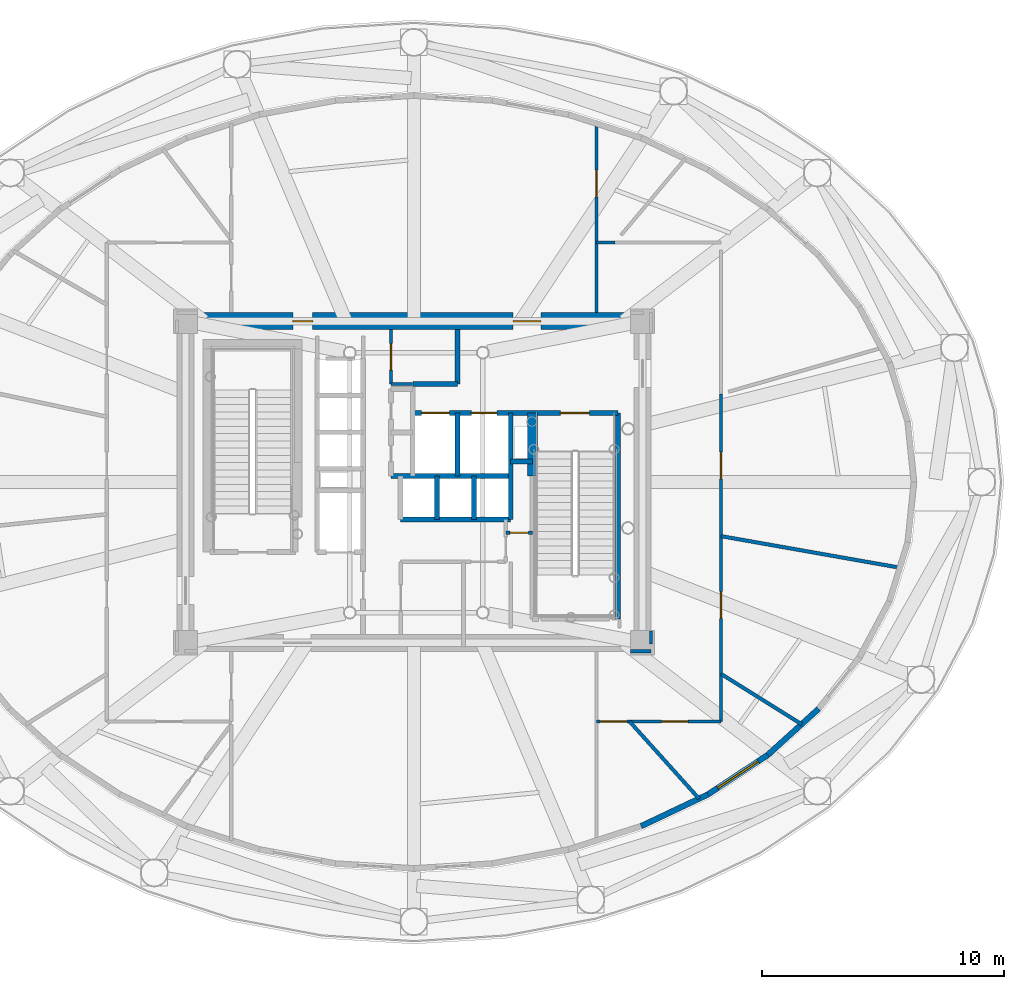
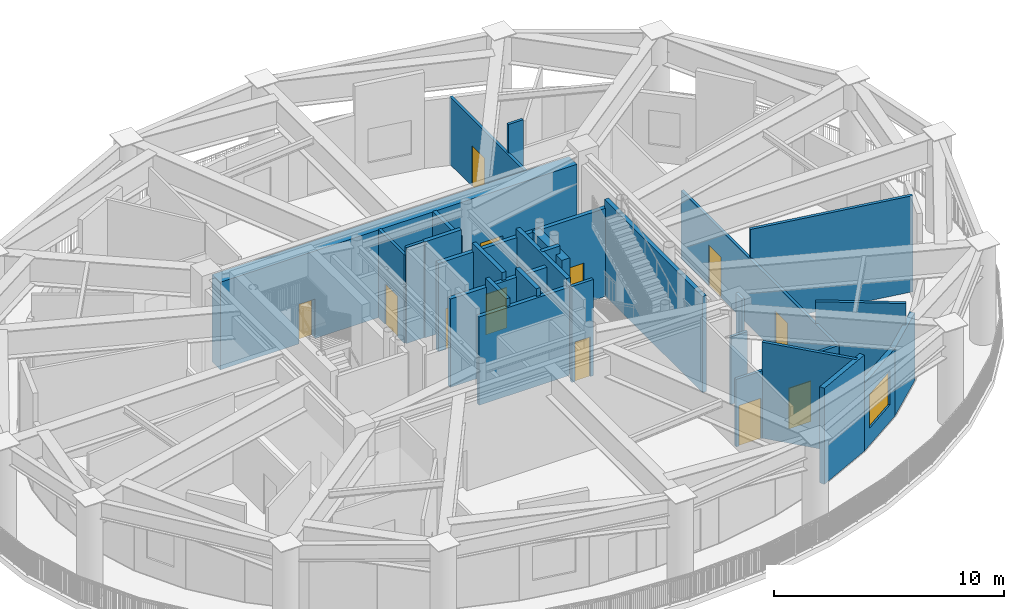
# One storey, part 6 of 14: 28 walls, 12 doors, 1 window, 13 openings.
"""IFC4 building model written with IfcOpenShell, lengths in metres."""

from ifc_helpers import new_model, si_unit, direction, frame, frame_2d, origin, origin_2d, place, context, subcontext, project, spatial, rectangle, extrude, source, transform, mapped, material, layer, layer_set, type_object, element, fill, save


model = new_model("IFC4")

# Units and contexts
model_context = context("Model", 3, precision=1e-05, world=origin(), true_north=direction((0.0, 1.0)))
body_context = subcontext(model_context, "Body", "Model", "MODEL_VIEW")
ifc_project = project(units=[si_unit("LENGTHUNIT", "METRE"), si_unit("AREAUNIT", "SQUARE_METRE"), si_unit("VOLUMEUNIT", "CUBIC_METRE"), si_unit("PLANEANGLEUNIT", "RADIAN"), si_unit("MASSUNIT", "GRAM", prefix="KILO")], contexts=[model_context])

# Site, building, storey
site_placement = place(None, origin())
site = spatial("IfcSite", under=ifc_project, at=site_placement, CompositionType="ELEMENT")
building_placement = place(site_placement, origin())
building = spatial("IfcBuilding", under=site, at=building_placement, Name="Linh Dai School and Residence Tower", CompositionType="ELEMENT")
storey_placement = place(building_placement, frame((0.0, 0.0, 262.800048828125)))
storey = spatial("IfcBuildingStorey", under=building, at=storey_placement, Name="L65", CompositionType="ELEMENT", Elevation=262.800048828125)

# Wall
ifc_material_1 = material(Name="Precast Concrete B45 (C35/45)", Category="concrete")
ifc_layer_1 = layer(ifc_material_1, 0.239990234375)
ifc_layer_set_1 = layer_set([ifc_layer_1], Name="Precast Concrete B45 (C35/45)")
wall_type_1 = type_object("IfcWallType", Name="EW-TC-240", PredefinedType="SOLIDWALL", material=ifc_layer_set_1)
wall_1_placement = place(storey_placement, frame((48.16455078125, 14.079833984375, 0.0), z_axis=(0.0, 0.0, 1.0), x_axis=(-0.903435751873, -0.428723503249, 0.0)))
element("IfcWall", 1, at=wall_1_placement, inside=storey, type_object=wall_type_1, Name="L65 Terracotta Exterior Wall 34", PredefinedType="SOLIDWALL", context=body_context, shape_type="SweptSolid", body=[
    extrude(rectangle(XDim=3.063232421875, YDim=0.239990234375, at=frame_2d((1.53173828125, 0.0))), origin(), (0.0, 0.0, 1.0), 5.099853515625),
])

# Wall, opening, window
wall_2_placement = place(storey_placement, frame((50.63134765625, 15.7109375, 0.0), z_axis=(0.0, 0.0, 1.0), x_axis=(-0.834139994044, -0.551552781097, 0.0)))
wall_2 = element("IfcWall", 2, at=wall_2_placement, inside=storey, type_object=wall_type_1, Name="L65 Terracotta Exterior Wall 35", PredefinedType="SOLIDWALL", context=body_context, shape_type="SweptSolid", body=[
    extrude(rectangle(XDim=2.957275390625, YDim=0.239990234375, at=frame_2d((1.478515625, 0.0))), origin(), (0.0, 0.0, 1.0), 3.5849609375),
])
opening_1_placement = place(wall_2_placement, frame((0.478515625, 0.0, 0.89990234375)))
opening_1 = element("IfcOpeningElement", 3, at=opening_1_placement, cuts=wall_2, Name="Opening W5", PredefinedType="OPENING", context=body_context, shape_type="SweptSolid", body=[
    extrude(rectangle(XDim=2.0, YDim=1.800048828125, at=origin_2d()), frame((1.0, 0.1298828125, 0.89990234375), z_axis=(0.0, -1.0, 0.0), x_axis=(1.0, 0.0, 0.0)), (0.0, 0.0, 1.0), 0.260009765625),
])
ifc_material_2 = material(Name="Anodised Aluminium Weather Louvre", Category="aluminium")
window_type = type_object("IfcWindowType", Name="WN-LV-2000x1800", PartitioningType="SINGLE_PANEL", PredefinedType="USERDEFINED", material=ifc_material_2)
shared_shape_1 = source(origin(), body_context, "Body", "SweptSolid", [
    extrude(rectangle(XDim=2.0, YDim=1.800048828125, at=origin_2d()), frame((1.0, 0.030029296875, 0.89990234375), z_axis=(0.0, -1.0, 0.0), x_axis=(1.0, 0.0, 0.0)), (0.0, 0.0, 1.0), 0.06005859375),
])
window_placement = place(opening_1_placement, origin())
window = element("IfcWindow", 4, at=window_placement, inside=storey, type_object=window_type, Name="L65 Plant Weather Louvre 35", ObjectType="LOUVRE VENT", OverallHeight=1.800048828125, OverallWidth=2.0, PartitioningType="SINGLE_PANEL", PredefinedType="USERDEFINED", context=body_context, shape_type="MappedRepresentation", body=[
    mapped(shared_shape_1, transform((0.0, 0.0, 0.0), x_axis=(1.0, 0.0, 0.0), y_axis=(0.0, 1.0, 0.0), z_axis=(0.0, 0.0, 1.0), scale=1.0)),
])
fill(opening_1, window)

# Wall
wall_3_placement = place(storey_placement, frame((52.736328125, 17.619140625, 0.0), z_axis=(0.0, 0.0, 1.0), x_axis=(-0.740888066362, -0.67162852316, 0.0)))
element("IfcWall", 5, at=wall_3_placement, inside=storey, type_object=wall_type_1, Name="L65 Terracotta Exterior Wall 36", PredefinedType="SOLIDWALL", context=body_context, shape_type="SweptSolid", body=[
    extrude(rectangle(XDim=2.841064453125, YDim=0.239990234375, at=frame_2d((1.42041015625, 0.0))), origin(), (0.0, 0.0, 1.0), 3.5849609375),
])

# Wall, opening, door
ifc_material_3 = material(Name="Autoclaved Aerated Concrete Blockwork", Category="masonry")
ifc_layer_2 = layer(ifc_material_3, 0.135009765625)
ifc_layer_set_2 = layer_set([ifc_layer_2], Name="Autoclaved Aerated Concrete Blockwork")
wall_type_2 = type_object("IfcWallType", Name="IW-CORR-135-EI90", PredefinedType="PARTITIONING", material=ifc_layer_set_2)
wall_4_placement = place(storey_placement, frame((35.050048828125, 31.050048828125, 0.0), z_axis=(0.0, 0.0, 1.0), x_axis=(0.0, 1.0, 0.0)))
wall_4 = element("IfcWall", 6, at=wall_4_placement, inside=storey, type_object=wall_type_2, Name="L65 Interior Partition Wall 027", PredefinedType="PARTITIONING", context=body_context, shape_type="SweptSolid", body=[
    extrude(rectangle(XDim=2.25, YDim=0.135009765625, at=frame_2d((1.125, 0.0))), origin(), (0.0, 0.0, 1.0), 4.68505859375),
])
opening_2_placement = place(wall_4_placement, frame((0.574951171875, 0.0, 0.0)))
opening_2 = element("IfcOpeningElement", 7, at=opening_2_placement, cuts=wall_4, Name="Opening D07", PredefinedType="OPENING", context=body_context, shape_type="SweptSolid", body=[
    extrude(rectangle(XDim=1.10009765625, YDim=2.14990234375, at=origin_2d()), frame((0.550048828125, 0.07763671875, 1.074951171875), z_axis=(0.0, -1.0, 0.0), x_axis=(1.0, 0.0, 0.0)), (0.0, 0.0, 1.0), 0.155029296875),
])
ifc_material_4 = material(Name="Fire-Rated Louvred Steel Plant Door", Category="steel")
door_type_1 = type_object("IfcDoorType", Name="DR-PLT-1100x2150-FD60S", OperationType="NOTDEFINED", PredefinedType="DOOR", material=ifc_material_4)
shared_shape_2 = source(origin(), body_context, "Body", "SweptSolid", [
    extrude(rectangle(XDim=1.10009765625, YDim=2.14990234375, at=origin_2d()), frame((0.550048828125, 0.02490234375, 1.074951171875), z_axis=(0.0, -1.0, 0.0), x_axis=(1.0, 0.0, 0.0)), (0.0, 0.0, 1.0), 0.050048828125),
])
door_1_placement = place(opening_2_placement, origin())
door_1 = element("IfcDoor", 8, at=door_1_placement, inside=storey, type_object=door_type_1, Name="L65 North Telecom Switchroom Door", OperationType="SINGLE_SWING_LEFT", OverallHeight=2.14990234375, OverallWidth=1.10009765625, PredefinedType="DOOR", context=body_context, shape_type="MappedRepresentation", body=[
    mapped(shared_shape_2, transform((0.0, 0.0, 0.0), x_axis=(1.0, 0.0, 0.0), y_axis=(0.0, 1.0, 0.0), z_axis=(0.0, 0.0, 1.0), scale=1.0)),
])
fill(opening_2, door_1)

# Wall
wall_5_placement = place(storey_placement, frame((35.050048828125, 31.050048828125, 0.0), z_axis=(0.0, 0.0, 1.0), x_axis=(1.0, 0.0, 0.0)))
element("IfcWall", 9, at=wall_5_placement, inside=storey, type_object=wall_type_2, Name="L65 Interior Partition Wall 028", PredefinedType="PARTITIONING", context=body_context, shape_type="SweptSolid", body=[
    extrude(rectangle(XDim=0.89990234375, YDim=0.135009765625, at=frame_2d((0.449951171875, 0.0))), origin(), (0.0, 0.0, 1.0), 5.099853515625),
])

# Wall, openings, doors
wall_6_placement = place(storey_placement, frame((43.550048828125, 17.10009765625, 0.0), z_axis=(0.0, 0.0, 1.0), x_axis=(1.0, 0.0, 0.0)))
wall_6 = element("IfcWall", 10, at=wall_6_placement, inside=storey, type_object=wall_type_2, Name="L65 Interior Partition Wall 048", PredefinedType="PARTITIONING", context=body_context, shape_type="SweptSolid", body=[
    extrude(rectangle(XDim=5.14990234375, YDim=0.135009765625, at=frame_2d((2.574951171875, 0.0))), origin(), (0.0, 0.0, 1.0), 3.5849609375),
])
opening_3_placement = place(wall_6_placement, frame((0.152099609375, 0.0, 0.0)))
opening_3 = element("IfcOpeningElement", 11, at=opening_3_placement, cuts=wall_6, Name="Opening D07", PredefinedType="OPENING", context=body_context, shape_type="SweptSolid", body=[
    extrude(rectangle(XDim=1.10009765625, YDim=2.14990234375, at=origin_2d()), frame((0.550048828125, 0.07763671875, 1.074951171875), z_axis=(0.0, -1.0, 0.0), x_axis=(1.0, 0.0, 0.0)), (0.0, 0.0, 1.0), 0.155029296875),
])
opening_4_placement = place(wall_6_placement, frame((2.68701171875, 0.0, 0.0)))
opening_4 = element("IfcOpeningElement", 12, at=opening_4_placement, cuts=wall_6, Name="Opening D07", PredefinedType="OPENING", context=body_context, shape_type="SweptSolid", body=[
    extrude(rectangle(XDim=1.10009765625, YDim=2.14990234375, at=origin_2d()), frame((0.550048828125, 0.07763671875, 1.074951171875), z_axis=(0.0, -1.0, 0.0), x_axis=(1.0, 0.0, 0.0)), (0.0, 0.0, 1.0), 0.155029296875),
])
door_2_placement = place(opening_3_placement, origin())
door_2 = element("IfcDoor", 13, at=door_2_placement, inside=storey, type_object=door_type_1, Name="L65 Emergency Life-Safety UPS Battery Plant Room Door", OperationType="SINGLE_SWING_RIGHT", OverallHeight=2.14990234375, OverallWidth=1.10009765625, PredefinedType="DOOR", context=body_context, shape_type="MappedRepresentation", body=[
    mapped(shared_shape_2, transform((0.0, 0.0, 0.0), x_axis=(1.0, 0.0, 0.0), y_axis=(0.0, 1.0, 0.0), z_axis=(0.0, 0.0, 1.0), scale=1.0)),
])
fill(opening_3, door_2)
door_3_placement = place(opening_4_placement, origin())
door_3 = element("IfcDoor", 14, at=door_3_placement, inside=storey, type_object=door_type_1, Name="L65 Refuge Emergency Equipment & First-Aid Store Door", OperationType="SINGLE_SWING_LEFT", OverallHeight=2.14990234375, OverallWidth=1.10009765625, PredefinedType="DOOR", context=body_context, shape_type="MappedRepresentation", body=[
    mapped(shared_shape_2, transform((0.0, 0.0, 0.0), x_axis=(1.0, 0.0, 0.0), y_axis=(0.0, 1.0, 0.0), z_axis=(0.0, 0.0, 1.0), scale=1.0)),
])
fill(opening_4, door_3)

# Wall, opening, door
wall_7_placement = place(storey_placement, frame((43.550048828125, 34.0, 0.0), z_axis=(0.0, 0.0, 1.0), x_axis=(0.0, 1.0, 0.0)))
wall_7 = element("IfcWall", 15, at=wall_7_placement, inside=storey, type_object=wall_type_2, Name="L65 Interior Partition Wall 049", PredefinedType="PARTITIONING", context=body_context, shape_type="SweptSolid", body=[
    extrude(rectangle(XDim=7.8310546875, YDim=0.135009765625, at=frame_2d((3.91552734375, 0.0))), origin(), (0.0, 0.0, 1.0), 3.5849609375),
])
opening_5_placement = place(wall_7_placement, frame((4.79541015625, 0.0, 0.0)))
opening_5 = element("IfcOpeningElement", 16, at=opening_5_placement, cuts=wall_7, Name="Opening D07", PredefinedType="OPENING", context=body_context, shape_type="SweptSolid", body=[
    extrude(rectangle(XDim=1.10009765625, YDim=2.14990234375, at=origin_2d()), frame((0.550048828125, 0.07763671875, 1.074951171875), z_axis=(0.0, -1.0, 0.0), x_axis=(1.0, 0.0, 0.0)), (0.0, 0.0, 1.0), 0.155029296875),
])
door_4_placement = place(opening_5_placement, origin())
door_4 = element("IfcDoor", 17, at=door_4_placement, inside=storey, type_object=door_type_1, Name="L65 Zone Domestic Booster Pump Plant Room Door", OperationType="SINGLE_SWING_RIGHT", OverallHeight=2.14990234375, OverallWidth=1.10009765625, PredefinedType="DOOR", context=body_context, shape_type="MappedRepresentation", body=[
    mapped(shared_shape_2, transform((0.0, 0.0, 0.0), x_axis=(1.0, 0.0, 0.0), y_axis=(0.0, 1.0, 0.0), z_axis=(0.0, 0.0, 1.0), scale=1.0)),
])
fill(opening_5, door_4)

# Wall
wall_8_placement = place(storey_placement, frame((43.550048828125, 36.89990234375, 0.0), z_axis=(0.0, 0.0, 1.0), x_axis=(1.0, 0.0, 0.0)))
element("IfcWall", 18, at=wall_8_placement, inside=storey, type_object=wall_type_2, Name="L65 Interior Partition Wall 050", PredefinedType="PARTITIONING", context=body_context, shape_type="SweptSolid", body=[
    extrude(rectangle(XDim=0.757080078125, YDim=0.135009765625, at=frame_2d((0.37841796875, 0.0))), origin(), (0.0, 0.0, 1.0), 5.099853515625),
])

# Wall, openings, doors
wall_9_placement = place(storey_placement, frame((48.699951171875, 17.10009765625, 0.0), z_axis=(0.0, 0.0, 1.0), x_axis=(0.0, 1.0, 0.0)))
wall_9 = element("IfcWall", 19, at=wall_9_placement, inside=storey, type_object=wall_type_2, Name="L65 Interior Partition Wall 053", PredefinedType="PARTITIONING", context=body_context, shape_type="SweptSolid", body=[
    extrude(rectangle(XDim=13.54150390625, YDim=0.135009765625, at=frame_2d((6.770751953125, 0.0))), origin(), (0.0, 0.0, 1.0), 3.5849609375),
])
opening_6_placement = place(wall_9_placement, frame((4.262451171875, 0.0, 0.0)))
opening_6 = element("IfcOpeningElement", 20, at=opening_6_placement, cuts=wall_9, Name="Opening D07", PredefinedType="OPENING", context=body_context, shape_type="SweptSolid", body=[
    extrude(rectangle(XDim=1.10009765625, YDim=2.14990234375, at=origin_2d()), frame((0.550048828125, 0.07763671875, 1.074951171875), z_axis=(0.0, -1.0, 0.0), x_axis=(1.0, 0.0, 0.0)), (0.0, 0.0, 1.0), 0.155029296875),
])
opening_7_placement = place(wall_9_placement, frame((10.03125, 0.0, 0.0)))
opening_7 = element("IfcOpeningElement", 21, at=opening_7_placement, cuts=wall_9, Name="Opening D07", PredefinedType="OPENING", context=body_context, shape_type="SweptSolid", body=[
    extrude(rectangle(XDim=1.10009765625, YDim=2.14990234375, at=origin_2d()), frame((0.550048828125, 0.07763671875, 1.074951171875), z_axis=(0.0, -1.0, 0.0), x_axis=(1.0, 0.0, 0.0)), (0.0, 0.0, 1.0), 0.155029296875),
])
door_5_placement = place(opening_6_placement, origin())
door_5 = element("IfcDoor", 22, at=door_5_placement, inside=storey, type_object=door_type_1, Name="L65 Primary Air-Handling Plant Room East 1 Door", OperationType="SINGLE_SWING_RIGHT", OverallHeight=2.14990234375, OverallWidth=1.10009765625, PredefinedType="DOOR", context=body_context, shape_type="MappedRepresentation", body=[
    mapped(shared_shape_2, transform((0.0, 0.0, 0.0), x_axis=(1.0, 0.0, 0.0), y_axis=(0.0, 1.0, 0.0), z_axis=(0.0, 0.0, 1.0), scale=1.0)),
])
fill(opening_6, door_5)
door_6_placement = place(opening_7_placement, origin())
door_6 = element("IfcDoor", 23, at=door_6_placement, inside=storey, type_object=door_type_1, Name="L65 Primary Air-Handling Plant Room East 2 Door", OperationType="SINGLE_SWING_LEFT", OverallHeight=2.14990234375, OverallWidth=1.10009765625, PredefinedType="DOOR", context=body_context, shape_type="MappedRepresentation", body=[
    mapped(shared_shape_2, transform((0.0, 0.0, 0.0), x_axis=(1.0, 0.0, 0.0), y_axis=(0.0, 1.0, 0.0), z_axis=(0.0, 0.0, 1.0), scale=1.0)),
])
fill(opening_7, door_6)

# Walls
wall_10_placement = place(storey_placement, frame((44.9599609375, 20.0, 0.0), z_axis=(0.0, 0.0, 1.0), x_axis=(1.0, 0.0, 0.0)))
element("IfcWall", 24, at=wall_10_placement, inside=storey, type_object=wall_type_2, Name="L65 Interior Partition Wall 066", PredefinedType="PARTITIONING", context=body_context, shape_type="SweptSolid", body=[
    extrude(rectangle(XDim=0.840087890625, YDim=0.135009765625, at=frame_2d((0.419921875, 0.0))), origin(), (0.0, 0.0, 1.0), 3.5849609375),
])
wall_11_placement = place(storey_placement, frame((45.800048828125, 20.3076171875, 0.0), z_axis=(0.0, 0.0, 1.0), x_axis=(0.0, 1.0, 0.0)))
element("IfcWall", 25, at=wall_11_placement, inside=storey, type_object=wall_type_2, Name="L65 Interior Partition Wall 067", PredefinedType="PARTITIONING", context=body_context, shape_type="SweptSolid", body=[
    extrude(rectangle(XDim=0.532470703125, YDim=0.135009765625, at=frame_2d((0.26611328125, 0.0))), origin(), (0.0, 0.0, 1.0), 5.099853515625),
])

# Wall, opening, door
ifc_layer_3 = layer(ifc_material_3, 0.14990234375)
ifc_layer_set_3 = layer_set([ifc_layer_3], Name="Autoclaved Aerated Concrete Blockwork")
wall_type_3 = type_object("IfcWallType", Name="IW-SCH-150-EI60", PredefinedType="PARTITIONING", material=ifc_layer_set_3)
wall_12_placement = place(storey_placement, frame((39.800048828125, 24.89990234375, 0.0), z_axis=(0.0, 0.0, 1.0), x_axis=(1.0, 0.0, 0.0)))
wall_12 = element("IfcWall", 26, at=wall_12_placement, inside=storey, type_object=wall_type_3, Name="L65 Interior Partition Wall 042", PredefinedType="PARTITIONING", context=body_context, shape_type="SweptSolid", body=[
    extrude(rectangle(XDim=1.099853515625, YDim=0.14990234375, at=frame_2d((0.5498046875, 0.0))), origin(), (0.0, 0.0, 1.0), 5.099853515625),
])
opening_8_placement = place(wall_12_placement, frame((0.169921875, 0.0, 0.0)))
opening_8 = element("IfcOpeningElement", 27, at=opening_8_placement, cuts=wall_12, Name="Opening D08", PredefinedType="OPENING", context=body_context, shape_type="SweptSolid", body=[
    extrude(rectangle(XDim=0.760009765625, YDim=2.10009765625, at=origin_2d()), frame((0.3798828125, 0.0849609375, 1.050048828125), z_axis=(0.0, -1.0, 0.0), x_axis=(1.0, 0.0, 0.0)), (0.0, 0.0, 1.0), 0.169921875),
])
ifc_material_5 = material(Name="Engineered Timber Closet and Study Door", Category="wood")
door_type_2 = type_object("IfcDoorType", Name="DR-CMP-760x2100", OperationType="NOTDEFINED", PredefinedType="DOOR", material=ifc_material_5)
shared_shape_3 = source(origin(), body_context, "Body", "SweptSolid", [
    extrude(rectangle(XDim=0.760009765625, YDim=2.10009765625, at=origin_2d()), frame((0.3798828125, 0.02490234375, 1.050048828125), z_axis=(0.0, -1.0, 0.0), x_axis=(1.0, 0.0, 0.0)), (0.0, 0.0, 1.0), 0.050048828125),
])
door_7_placement = place(opening_8_placement, origin())
door_7 = element("IfcDoor", 28, at=door_7_placement, inside=storey, type_object=door_type_2, Name="L65 NE Equipment Store Door", OperationType="SINGLE_SWING_LEFT", OverallHeight=2.10009765625, OverallWidth=0.760009765625, PredefinedType="DOOR", context=body_context, shape_type="MappedRepresentation", body=[
    mapped(shared_shape_3, transform((0.0, 0.0, 0.0), x_axis=(1.0, 0.0, 0.0), y_axis=(0.0, 1.0, 0.0), z_axis=(0.0, 0.0, 1.0), scale=1.0)),
])
fill(opening_8, door_7)

# Walls
wall_13_placement = place(storey_placement, frame((44.9140625, 17.10009765625, 0.0), z_axis=(0.0, 0.0, 1.0), x_axis=(0.669093120938, -0.74317857579, 0.0)))
element("IfcWall", 29, at=wall_13_placement, inside=storey, type_object=wall_type_3, Name="L65 Interior Partition Wall 052", PredefinedType="PARTITIONING", context=body_context, shape_type="SweptSolid", body=[
    extrude(rectangle(XDim=4.30712890625, YDim=0.14990234375, at=frame_2d((2.153564453125, 0.0))), origin(), (0.0, 0.0, 1.0), 5.099853515625),
])
wall_14_placement = place(storey_placement, frame((48.699951171875, 19.064208984375, 0.0), z_axis=(0.0, 0.0, 1.0), x_axis=(0.848047093633, -0.529920868603, 0.0)))
element("IfcWall", 30, at=wall_14_placement, inside=storey, type_object=wall_type_3, Name="L65 Interior Partition Wall 054", PredefinedType="PARTITIONING", context=body_context, shape_type="SweptSolid", body=[
    extrude(rectangle(XDim=3.935302734375, YDim=0.14990234375, at=frame_2d((1.9677734375, 0.0))), origin(), (0.0, 0.0, 1.0), 4.724853515625),
])
wall_15_placement = place(storey_placement, frame((48.699951171875, 24.7607421875, 0.0), z_axis=(0.0, 0.0, 1.0), x_axis=(0.984804155247, -0.173668580371, 0.0)))
element("IfcWall", 31, at=wall_15_placement, inside=storey, type_object=wall_type_3, Name="L65 Interior Partition Wall 055", PredefinedType="PARTITIONING", context=body_context, shape_type="SweptSolid", body=[
    extrude(rectangle(XDim=7.515380859375, YDim=0.14990234375, at=frame_2d((3.7578125, 0.0))), origin(), (0.0, 0.0, 1.0), 5.099853515625),
])
ifc_material_6 = material(Name="Concrete B45 (C35/45)", Category="concrete")
ifc_layer_4 = layer(ifc_material_6, 0.199951171875)
ifc_layer_set_4 = layer_set([ifc_layer_4], Name="Concrete B45 (C35/45)")
wall_type_4 = type_object("IfcWallType", Name="IW-SHAFT-200-EI120", PredefinedType="PARTITIONING", material=ifc_layer_set_4)
wall_16_placement = place(storey_placement, frame((35.050048828125, 27.25, 0.0), z_axis=(0.0, 0.0, 1.0), x_axis=(1.0, 0.0, 0.0)))
element("IfcWall", 32, at=wall_16_placement, inside=storey, type_object=wall_type_4, Name="L65 Interior Partition Wall 024", PredefinedType="PARTITIONING", context=body_context, shape_type="SweptSolid", body=[
    extrude(rectangle(XDim=4.949951171875, YDim=0.199951171875, at=frame_2d((2.47509765625, 0.0))), origin(), (0.0, 0.0, 1.0), 4.68505859375),
])
wall_17_placement = place(storey_placement, frame((35.449951171875, 25.449951171875, 0.0), z_axis=(0.0, 0.0, 1.0), x_axis=(1.0, 0.0, 0.0)))
element("IfcWall", 33, at=wall_17_placement, inside=storey, type_object=wall_type_4, Name="L65 Interior Partition Wall 032", PredefinedType="PARTITIONING", context=body_context, shape_type="SweptSolid", body=[
    extrude(rectangle(XDim=4.550048828125, YDim=0.199951171875, at=frame_2d((2.27490234375, 0.0))), origin(), (0.0, 0.0, 1.0), 4.68505859375),
])

# Wall, openings, doors
wall_18_placement = place(storey_placement, frame((35.949951171875, 29.85009765625, 0.0), z_axis=(0.0, 0.0, 1.0), x_axis=(1.0, 0.0, 0.0)))
wall_18 = element("IfcWall", 34, at=wall_18_placement, inside=storey, type_object=wall_type_4, Name="L65 Interior Partition Wall 034", PredefinedType="PARTITIONING", context=body_context, shape_type="SweptSolid", body=[
    extrude(rectangle(XDim=8.489990234375, YDim=0.199951171875, at=frame_2d((4.2451171875, 0.0))), origin(), (0.0, 0.0, 1.0), 4.68505859375),
])
opening_9_placement = place(wall_18_placement, frame((6.10009765625, 0.0, 0.0)))
opening_9 = element("IfcOpeningElement", 35, at=opening_9_placement, cuts=wall_18, Name="Opening D01", PredefinedType="OPENING", context=body_context, shape_type="SweptSolid", body=[
    extrude(rectangle(XDim=1.199951171875, YDim=2.14990234375, at=origin_2d()), frame((0.60009765625, 0.10986328125, 1.074951171875), z_axis=(0.0, -1.0, 0.0), x_axis=(1.0, 0.0, 0.0)), (0.0, 0.0, 1.0), 0.219970703125),
])
opening_10_placement = place(wall_18_placement, frame((0.3701171875, 0.0, 0.0)))
opening_10 = element("IfcOpeningElement", 36, at=opening_10_placement, cuts=wall_18, Name="Opening LD-FF1", PredefinedType="OPENING", context=body_context, shape_type="SweptSolid", body=[
    extrude(rectangle(XDim=1.14990234375, YDim=2.14990234375, at=origin_2d()), frame((0.574951171875, 0.10986328125, 1.074951171875), z_axis=(0.0, -1.0, 0.0), x_axis=(1.0, 0.0, 0.0)), (0.0, 0.0, 1.0), 0.219970703125),
])
opening_11_placement = place(wall_18_placement, frame((2.425048828125, 0.0, 0.0)))
opening_11 = element("IfcOpeningElement", 37, at=opening_11_placement, cuts=wall_18, Name="Opening LD-SV1", PredefinedType="OPENING", context=body_context, shape_type="SweptSolid", body=[
    extrude(rectangle(XDim=1.050048828125, YDim=2.14990234375, at=origin_2d()), frame((0.52490234375, 0.10986328125, 1.074951171875), z_axis=(0.0, -1.0, 0.0), x_axis=(1.0, 0.0, 0.0)), (0.0, 0.0, 1.0), 0.219970703125),
])
ifc_material_7 = material(Name="Fire-Rated Steel Door Leaf", Category="steel")
door_type_3 = type_object("IfcDoorType", Name="DR-STAIR-1200x2150-FD90S", OperationType="NOTDEFINED", PredefinedType="DOOR", material=ifc_material_7)
shared_shape_4 = source(origin(), body_context, "Body", "SweptSolid", [
    extrude(rectangle(XDim=1.199951171875, YDim=2.14990234375, at=origin_2d()), frame((0.60009765625, 0.02490234375, 1.074951171875), z_axis=(0.0, -1.0, 0.0), x_axis=(1.0, 0.0, 0.0)), (0.0, 0.0, 1.0), 0.050048828125),
])
door_8_placement = place(opening_9_placement, origin())
door_8 = element("IfcDoor", 38, at=door_8_placement, inside=storey, type_object=door_type_3, Name="L65 Core Smokeproof Exit Stair ST2 Door", OperationType="SINGLE_SWING_RIGHT", OverallHeight=2.14990234375, OverallWidth=1.199951171875, PredefinedType="DOOR", context=body_context, shape_type="MappedRepresentation", body=[
    mapped(shared_shape_4, transform((0.0, 0.0, 0.0), x_axis=(1.0, 0.0, 0.0), y_axis=(0.0, 1.0, 0.0), z_axis=(0.0, 0.0, 1.0), scale=1.0)),
])
fill(opening_9, door_8)
ifc_material_8 = material(Name="Fire-Rated Stainless Steel Firefighting Lift Door", Category="steel")
door_type_4 = type_object("IfcDoorType", Name="DR-LD-FF-1150x2150-FD120", OperationType="DOUBLE_DOOR_SLIDING", PredefinedType="USERDEFINED", material=ifc_material_8)
shared_shape_5 = source(origin(), body_context, "Body", "SweptSolid", [
    extrude(rectangle(XDim=1.14990234375, YDim=2.14990234375, at=origin_2d()), frame((0.574951171875, 0.02490234375, 1.074951171875), z_axis=(0.0, -1.0, 0.0), x_axis=(1.0, 0.0, 0.0)), (0.0, 0.0, 1.0), 0.050048828125),
])
door_9_placement = place(opening_10_placement, origin())
door_9 = element("IfcDoor", 39, at=door_9_placement, inside=storey, type_object=door_type_4, Name="L65 Lift FF1 Sliding Landing Door", ObjectType="LANDING DOOR", OperationType="DOUBLE_DOOR_SLIDING", OverallHeight=2.14990234375, OverallWidth=1.14990234375, PredefinedType="USERDEFINED", context=body_context, shape_type="MappedRepresentation", body=[
    mapped(shared_shape_5, transform((0.0, 0.0, 0.0), x_axis=(1.0, 0.0, 0.0), y_axis=(0.0, 1.0, 0.0), z_axis=(0.0, 0.0, 1.0), scale=1.0)),
])
fill(opening_10, door_9)
ifc_material_9 = material(Name="Brushed Stainless Steel Lift Landing Door", Category="steel")
door_type_5 = type_object("IfcDoorType", Name="DR-LD-PASS-1050x2150", OperationType="DOUBLE_DOOR_SLIDING", PredefinedType="USERDEFINED", material=ifc_material_9)
shared_shape_6 = source(origin(), body_context, "Body", "SweptSolid", [
    extrude(rectangle(XDim=1.050048828125, YDim=2.14990234375, at=origin_2d()), frame((0.52490234375, 0.02490234375, 1.074951171875), z_axis=(0.0, -1.0, 0.0), x_axis=(1.0, 0.0, 0.0)), (0.0, 0.0, 1.0), 0.050048828125),
])
door_10_placement = place(opening_11_placement, origin())
door_10 = element("IfcDoor", 40, at=door_10_placement, inside=storey, type_object=door_type_5, Name="L65 Lift SV1 Sliding Landing Door", ObjectType="LANDING DOOR", OperationType="DOUBLE_DOOR_SLIDING", OverallHeight=2.14990234375, OverallWidth=1.050048828125, PredefinedType="USERDEFINED", context=body_context, shape_type="MappedRepresentation", body=[
    mapped(shared_shape_6, transform((0.0, 0.0, 0.0), x_axis=(1.0, 0.0, 0.0), y_axis=(0.0, 1.0, 0.0), z_axis=(0.0, 0.0, 1.0), scale=1.0)),
])
fill(opening_11, door_10)

# Walls
wall_19_placement = place(storey_placement, frame((35.9599609375, 31.050048828125, 0.0), z_axis=(0.0, 0.0, 1.0), x_axis=(1.0, 0.0, 0.0)))
element("IfcWall", 41, at=wall_19_placement, inside=storey, type_object=wall_type_4, Name="L65 Interior Partition Wall 035", PredefinedType="PARTITIONING", context=body_context, shape_type="SweptSolid", body=[
    extrude(rectangle(XDim=1.840087890625, YDim=0.199951171875, at=frame_2d((0.919921875, 0.0))), origin(), (0.0, 0.0, 1.0), 5.099853515625),
])
wall_20_placement = place(storey_placement, frame((36.9599609375, 25.449951171875, 0.0), z_axis=(0.0, 0.0, 1.0), x_axis=(0.0, 1.0, 0.0)))
element("IfcWall", 42, at=wall_20_placement, inside=storey, type_object=wall_type_4, Name="L65 Interior Partition Wall 036", PredefinedType="PARTITIONING", context=body_context, shape_type="SweptSolid", body=[
    extrude(rectangle(XDim=1.800048828125, YDim=0.199951171875, at=frame_2d((0.89990234375, 0.0))), origin(), (0.0, 0.0, 1.0), 5.099853515625),
])
wall_21_placement = place(storey_placement, frame((37.800048828125, 27.25, 0.0), z_axis=(0.0, 0.0, 1.0), x_axis=(0.0, 1.0, 0.0)))
element("IfcWall", 43, at=wall_21_placement, inside=storey, type_object=wall_type_4, Name="L65 Interior Partition Wall 037", PredefinedType="PARTITIONING", context=body_context, shape_type="SweptSolid", body=[
    extrude(rectangle(XDim=2.60009765625, YDim=0.199951171875, at=frame_2d((1.300048828125, 0.0))), origin(), (0.0, 0.0, 1.0), 5.099853515625),
])
wall_22_placement = place(storey_placement, frame((37.800048828125, 31.050048828125, 0.0), z_axis=(0.0, 0.0, 1.0), x_axis=(0.0, 1.0, 0.0)))
element("IfcWall", 44, at=wall_22_placement, inside=storey, type_object=wall_type_4, Name="L65 Interior Partition Wall 038", PredefinedType="PARTITIONING", context=body_context, shape_type="SweptSolid", body=[
    extrude(rectangle(XDim=2.25, YDim=0.199951171875, at=frame_2d((1.125, 0.0))), origin(), (0.0, 0.0, 1.0), 4.68505859375),
])
wall_23_placement = place(storey_placement, frame((38.47998046875, 25.449951171875, 0.0), z_axis=(0.0, 0.0, 1.0), x_axis=(0.0, 1.0, 0.0)))
element("IfcWall", 45, at=wall_23_placement, inside=storey, type_object=wall_type_4, Name="L65 Interior Partition Wall 040", PredefinedType="PARTITIONING", context=body_context, shape_type="SweptSolid", body=[
    extrude(rectangle(XDim=1.800048828125, YDim=0.199951171875, at=frame_2d((0.89990234375, 0.0))), origin(), (0.0, 0.0, 1.0), 5.099853515625),
])
wall_24_placement = place(storey_placement, frame((40.0, 25.449951171875, 0.0), z_axis=(0.0, 0.0, 1.0), x_axis=(0.0, 1.0, 0.0)))
element("IfcWall", 46, at=wall_24_placement, inside=storey, type_object=wall_type_4, Name="L65 Interior Partition Wall 043", PredefinedType="PARTITIONING", context=body_context, shape_type="SweptSolid", body=[
    extrude(rectangle(XDim=4.400146484375, YDim=0.199951171875, at=frame_2d((2.2001953125, 0.0))), origin(), (0.0, 0.0, 1.0), 5.099853515625),
])
wall_25_placement = place(storey_placement, frame((40.0, 27.85009765625, 0.0), z_axis=(0.0, 0.0, 1.0), x_axis=(1.0, 0.0, 0.0)))
element("IfcWall", 47, at=wall_25_placement, inside=storey, type_object=wall_type_4, Name="L65 Interior Partition Wall 044", PredefinedType="PARTITIONING", context=body_context, shape_type="SweptSolid", body=[
    extrude(rectangle(XDim=0.89990234375, YDim=0.199951171875, at=frame_2d((0.449951171875, 0.0))), origin(), (0.0, 0.0, 1.0), 5.099853515625),
])
wall_26_placement = place(storey_placement, frame((44.43994140625, 21.330078125, 0.0), z_axis=(0.0, 0.0, 1.0), x_axis=(0.0, 1.0, 0.0)))
element("IfcWall", 48, at=wall_26_placement, inside=storey, type_object=wall_type_4, Name="L65 Interior Partition Wall 051", PredefinedType="PARTITIONING", context=body_context, shape_type="SweptSolid", body=[
    extrude(rectangle(XDim=8.52001953125, YDim=0.199951171875, at=frame_2d((4.260009765625, 0.0))), origin(), (0.0, 0.0, 1.0), 5.099853515625),
])
ifc_layer_5 = layer(ifc_material_6, 0.39990234375)
ifc_layer_set_5 = layer_set([ifc_layer_5], Name="Concrete B45 (C35/45)")
wall_type_5 = type_object("IfcWallType", Name="WL-CORE400", PredefinedType="SHEAR", material=ifc_layer_set_5)
wall_27_placement = place(storey_placement, frame((40.89990234375, 27.25, 0.0), z_axis=(0.0, 0.0, 1.0), x_axis=(0.0, 1.0, 0.0)))
element("IfcWall", 49, at=wall_27_placement, inside=storey, type_object=wall_type_5, Name="L65 Internal Core Shear Wall IE", PredefinedType="SHEAR", context=body_context, shape_type="SweptSolid", body=[
    extrude(rectangle(XDim=2.60009765625, YDim=0.39990234375, at=frame_2d((1.300048828125, 0.0))), origin(), (0.0, 0.0, 1.0), 4.699951171875),
])

# Wall, openings, doors
ifc_layer_6 = layer(ifc_material_6, 0.699951171875)
ifc_layer_set_6 = layer_set([ifc_layer_6], Name="Concrete B45 (C35/45)")
wall_type_6 = type_object("IfcWallType", Name="WL-CORE700", PredefinedType="SHEAR", material=ifc_layer_set_6)
wall_28_placement = place(storey_placement, frame((27.050048828125, 33.64990234375, 0.0), z_axis=(0.0, 0.0, 1.0), x_axis=(1.0, 0.0, 0.0)))
wall_28 = element("IfcWall", 50, at=wall_28_placement, inside=storey, type_object=wall_type_6, Name="L65 Central Core Shear Wall N", PredefinedType="SHEAR", context=body_context, shape_type="SweptSolid", body=[
    extrude(rectangle(XDim=17.89990234375, YDim=0.699951171875, at=frame_2d((8.949951171875, 0.0))), origin(), (0.0, 0.0, 1.0), 4.64990234375),
])
opening_12_placement = place(wall_28_placement, frame((3.93994140625, 0.0, 0.0)))
opening_12 = element("IfcOpeningElement", 51, at=opening_12_placement, cuts=wall_28, Name="Opening D06", PredefinedType="OPENING", context=body_context, shape_type="SweptSolid", body=[
    extrude(rectangle(XDim=0.820068359375, YDim=2.10009765625, at=origin_2d()), frame((0.41015625, 0.35986328125, 1.050048828125), z_axis=(0.0, -1.0, 0.0), x_axis=(1.0, 0.0, 0.0)), (0.0, 0.0, 1.0), 0.719970703125),
])
opening_13_placement = place(wall_28_placement, frame((13.050048828125, 0.0, 0.0)))
opening_13 = element("IfcOpeningElement", 52, at=opening_13_placement, cuts=wall_28, Name="Opening D02", PredefinedType="OPENING", context=body_context, shape_type="SweptSolid", body=[
    extrude(rectangle(XDim=1.14990234375, YDim=2.14990234375, at=origin_2d()), frame((0.574951171875, 0.35986328125, 1.074951171875), z_axis=(0.0, -1.0, 0.0), x_axis=(1.0, 0.0, 0.0)), (0.0, 0.0, 1.0), 0.719970703125),
])
ifc_material_10 = material(Name="Moisture-Resistant Timber Bathroom Door", Category="wood")
door_type_6 = type_object("IfcDoorType", Name="DR-WET-820x2100", OperationType="NOTDEFINED", PredefinedType="DOOR", material=ifc_material_10)
shared_shape_7 = source(origin(), body_context, "Body", "SweptSolid", [
    extrude(rectangle(XDim=0.820068359375, YDim=2.10009765625, at=origin_2d()), frame((0.41015625, 0.02490234375, 1.050048828125), z_axis=(0.0, -1.0, 0.0), x_axis=(1.0, 0.0, 0.0)), (0.0, 0.0, 1.0), 0.050048828125),
])
door_11_placement = place(opening_12_placement, origin())
door_11 = element("IfcDoor", 53, at=door_11_placement, inside=storey, type_object=door_type_6, Name="L65 Refuge Lobby Access Door", OperationType="SINGLE_SWING_LEFT", OverallHeight=2.10009765625, OverallWidth=0.820068359375, PredefinedType="DOOR", context=body_context, shape_type="MappedRepresentation", body=[
    mapped(shared_shape_7, transform((0.0, 0.0, 0.0), x_axis=(1.0, 0.0, 0.0), y_axis=(0.0, 1.0, 0.0), z_axis=(0.0, 0.0, 1.0), scale=1.0)),
])
fill(opening_12, door_11)
ifc_material_11 = material(Name="Fire-Rated Glazed Steel Lobby Door", Category="steel")
door_type_7 = type_object("IfcDoorType", Name="DR-LOBBY-1150x2150-FD90S", OperationType="NOTDEFINED", PredefinedType="DOOR", material=ifc_material_11)
shared_shape_8 = source(origin(), body_context, "Body", "SweptSolid", [
    extrude(rectangle(XDim=1.14990234375, YDim=2.14990234375, at=origin_2d()), frame((0.574951171875, 0.02490234375, 1.074951171875), z_axis=(0.0, -1.0, 0.0), x_axis=(1.0, 0.0, 0.0)), (0.0, 0.0, 1.0), 0.050048828125),
])
door_12_placement = place(opening_13_placement, origin())
door_12 = element("IfcDoor", 54, at=door_12_placement, inside=storey, type_object=door_type_7, Name="L65 Refuge Lobby Access Door", OperationType="SINGLE_SWING_RIGHT", OverallHeight=2.14990234375, OverallWidth=1.14990234375, PredefinedType="DOOR", context=body_context, shape_type="MappedRepresentation", body=[
    mapped(shared_shape_8, transform((0.0, 0.0, 0.0), x_axis=(1.0, 0.0, 0.0), y_axis=(0.0, 1.0, 0.0), z_axis=(0.0, 0.0, 1.0), scale=1.0)),
])
fill(opening_13, door_12)

save(model, "model.ifc")
